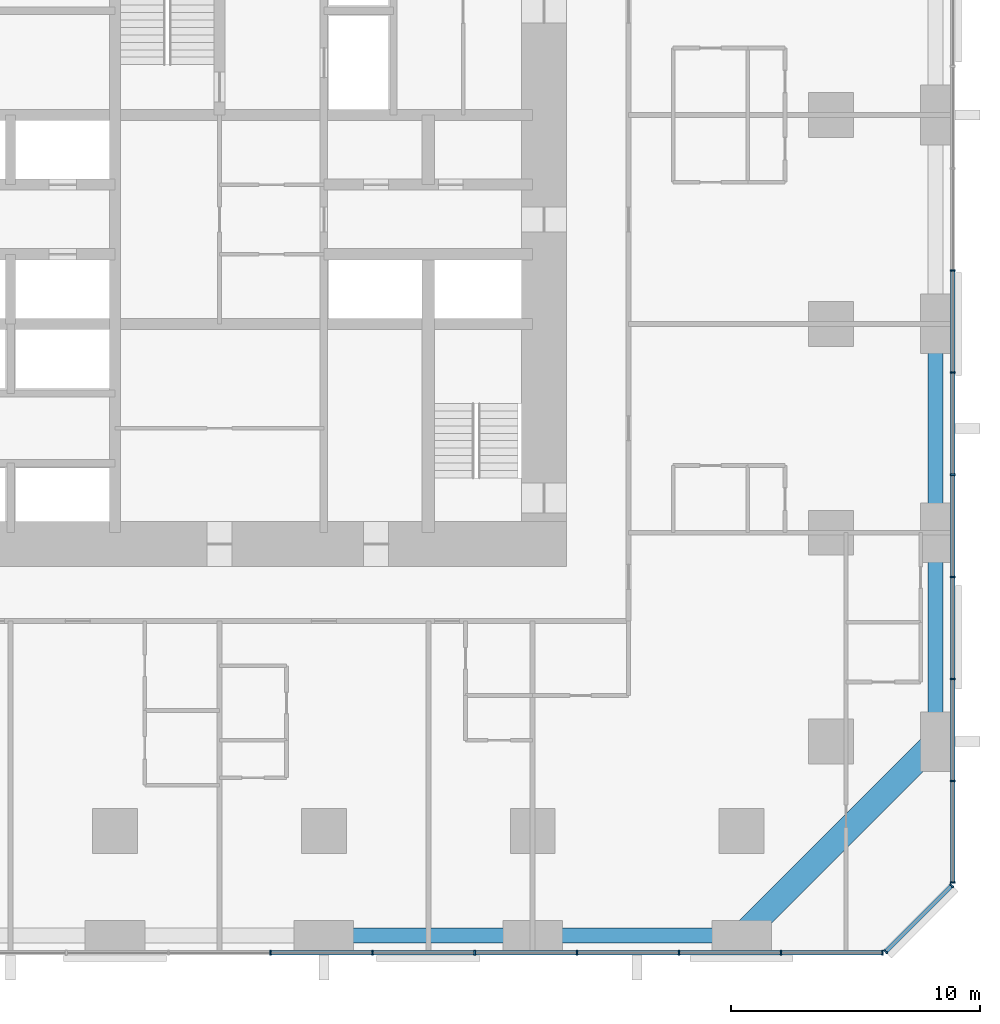
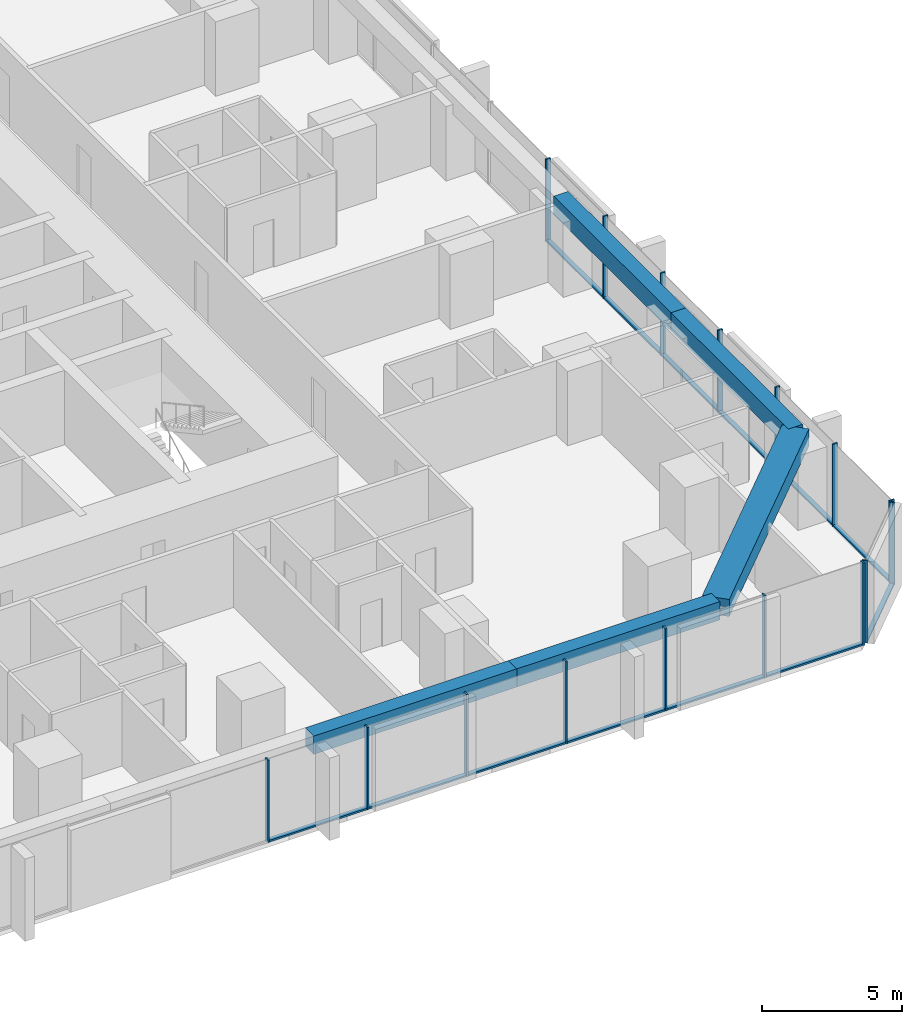
# One storey, part 4 of 17: 29 members, 5 beams, 3 elements without a shape of their own.
"""IFC4 building model written with IfcOpenShell, lengths in metres."""

from ifc_helpers import new_model, si_unit, direction, frame, origin, origin_2d, place, context, subcontext, project, spatial, rectangle, extrude, material, material_profile, profile_set, type_object, element, aggregate, save


model = new_model("IFC4")

# Units and contexts
model_context = context("Model", 3, precision=1e-05, world=origin(), true_north=direction((0.0, 1.0)))
body_context = subcontext(model_context, "Body", "Model", "MODEL_VIEW")
ifc_project = project(units=[si_unit("LENGTHUNIT", "METRE"), si_unit("AREAUNIT", "SQUARE_METRE"), si_unit("VOLUMEUNIT", "CUBIC_METRE"), si_unit("PLANEANGLEUNIT", "RADIAN"), si_unit("MASSUNIT", "GRAM", prefix="KILO")], contexts=[model_context])

# Site, building, storey
site_placement = place(None, origin())
site = spatial("IfcSite", under=ifc_project, at=site_placement, CompositionType="ELEMENT")
building_placement = place(site_placement, origin())
building = spatial("IfcBuilding", under=site, at=building_placement, Name="Dunama Terrace Hotel", CompositionType="ELEMENT")
storey_placement = place(building_placement, frame((0.0, 0.0, 41.39990234375)))
storey = spatial("IfcBuildingStorey", under=building, at=storey_placement, Name="L09", CompositionType="ELEMENT", Elevation=41.39990234375)

# Curtain wall, members
ifc_material_1 = material(Name="Aluminium curtain wall system", Category="aluminium")
curtain_wall_type = type_object("IfcCurtainWallType", Name="Unitised fritted glass wall CW-A", PredefinedType="NOTDEFINED", material=ifc_material_1)
curtain_wall_1_placement = place(storey_placement, origin())
curtain_wall_1 = element("IfcCurtainWall", 1, at=curtain_wall_1_placement, inside=storey, type_object=curtain_wall_type, Name="Unitised fritted glass wall CW-A L09", PredefinedType="NOTDEFINED")
ifc_material_2 = material(Name="Aluminium mullion", Category="aluminium")
ifc_material_profile_1 = material_profile(ifc_material_2, rectangle(XDim=0.06494140625, YDim=0.199951171875, at=origin_2d()), Name="CWA MULLION 65X200")
ifc_profile_set_1 = profile_set([ifc_material_profile_1], Name="Aluminium mullion")
member_type_1 = type_object("IfcMemberType", Name="CWA mullion 65x200", PredefinedType="MULLION", material=ifc_profile_set_1)
member_1_placement = place(storey_placement, frame((31.4541015625, -0.10009765625, 0.0), z_axis=(0.0, 0.0, 1.0), x_axis=(1.0, 0.0, 0.0)))
member_1 = element("IfcMember", 2, at=member_1_placement, type_object=member_type_1, Name="CWA mullion", PredefinedType="MULLION", context=body_context, shape_type="SweptSolid", body=[
    extrude(rectangle(XDim=0.06494140625, YDim=0.199951171875, at=origin_2d()), origin(), (0.0, 0.0, 1.0), 3.60009765625),
])
member_2_placement = place(storey_placement, frame((35.56201171875, -0.10009765625, 0.0), z_axis=(0.0, 0.0, 1.0), x_axis=(1.0, 0.0, 0.0)))
member_2 = element("IfcMember", 3, at=member_2_placement, type_object=member_type_1, Name="CWA mullion", PredefinedType="MULLION", context=body_context, shape_type="SweptSolid", body=[
    extrude(rectangle(XDim=0.06494140625, YDim=0.199951171875, at=origin_2d()), origin(), (0.0, 0.0, 1.0), 3.60009765625),
])
member_3_placement = place(storey_placement, frame((39.6689453125, -0.10009765625, 0.0), z_axis=(0.0, 0.0, 1.0), x_axis=(1.0, 0.0, 0.0)))
member_3 = element("IfcMember", 4, at=member_3_placement, type_object=member_type_1, Name="CWA mullion", PredefinedType="MULLION", context=body_context, shape_type="SweptSolid", body=[
    extrude(rectangle(XDim=0.06494140625, YDim=0.199951171875, at=origin_2d()), origin(), (0.0, 0.0, 1.0), 3.60009765625),
])
member_4_placement = place(storey_placement, frame((43.777099609375, -0.10009765625, 0.0), z_axis=(0.0, 0.0, 1.0), x_axis=(1.0, 0.0, 0.0)))
member_4 = element("IfcMember", 5, at=member_4_placement, type_object=member_type_1, Name="CWA mullion", PredefinedType="MULLION", context=body_context, shape_type="SweptSolid", body=[
    extrude(rectangle(XDim=0.06494140625, YDim=0.199951171875, at=origin_2d()), origin(), (0.0, 0.0, 1.0), 3.60009765625),
])
member_5_placement = place(storey_placement, frame((47.885009765625, -0.10009765625, 0.0), z_axis=(0.0, 0.0, 1.0), x_axis=(1.0, 0.0, 0.0)))
member_5 = element("IfcMember", 6, at=member_5_placement, type_object=member_type_1, Name="CWA mullion", PredefinedType="MULLION", context=body_context, shape_type="SweptSolid", body=[
    extrude(rectangle(XDim=0.06494140625, YDim=0.199951171875, at=origin_2d()), origin(), (0.0, 0.0, 1.0), 3.60009765625),
])
member_6_placement = place(storey_placement, frame((51.991943359375, -0.10009765625, 0.0), z_axis=(0.0, 0.0, 1.0), x_axis=(1.0, 0.0, 0.0)))
member_6 = element("IfcMember", 7, at=member_6_placement, type_object=member_type_1, Name="CWA mullion", PredefinedType="MULLION", context=body_context, shape_type="SweptSolid", body=[
    extrude(rectangle(XDim=0.06494140625, YDim=0.199951171875, at=origin_2d()), origin(), (0.0, 0.0, 1.0), 3.60009765625),
])
member_7_placement = place(storey_placement, frame((56.06689453125, -0.10009765625, 0.0), z_axis=(0.0, 0.0, 1.0), x_axis=(1.0, 0.0, 0.0)))
member_7 = element("IfcMember", 8, at=member_7_placement, type_object=member_type_1, Name="CWA mullion", PredefinedType="MULLION", context=body_context, shape_type="SweptSolid", body=[
    extrude(rectangle(XDim=0.06494140625, YDim=0.199951171875, at=origin_2d()), origin(), (0.0, 0.0, 1.0), 3.60009765625),
])

curtain_wall_2_placement = place(storey_placement, origin())
curtain_wall_2 = element("IfcCurtainWall", 9, at=curtain_wall_2_placement, inside=storey, type_object=curtain_wall_type, Name="Unitised fritted glass wall CW-A L09", PredefinedType="NOTDEFINED")
member_8_placement = place(storey_placement, frame((56.194091796875, -0.048095703125, 0.0), z_axis=(0.0, 0.0, 1.0), x_axis=(0.707106781187, 0.707106781187, 0.0)))
member_8 = element("IfcMember", 10, at=member_8_placement, type_object=member_type_1, Name="CWA mullion", PredefinedType="MULLION", context=body_context, shape_type="SweptSolid", body=[
    extrude(rectangle(XDim=0.06494140625, YDim=0.199951171875, at=origin_2d()), origin(), (0.0, 0.0, 1.0), 3.60009765625),
])
member_9_placement = place(storey_placement, frame((58.847900390625, 2.60595703125, 0.0), z_axis=(0.0, 0.0, 1.0), x_axis=(0.707106781187, 0.707106781187, 0.0)))
member_9 = element("IfcMember", 11, at=member_9_placement, type_object=member_type_1, Name="CWA mullion", PredefinedType="MULLION", context=body_context, shape_type="SweptSolid", body=[
    extrude(rectangle(XDim=0.06494140625, YDim=0.199951171875, at=origin_2d()), origin(), (0.0, 0.0, 1.0), 3.60009765625),
])

curtain_wall_3_placement = place(storey_placement, origin())
curtain_wall_3 = element("IfcCurtainWall", 12, at=curtain_wall_3_placement, inside=storey, type_object=curtain_wall_type, Name="Unitised fritted glass wall CW-A L09", PredefinedType="NOTDEFINED")
member_10_placement = place(storey_placement, frame((58.89990234375, 2.73291015625, 0.0), z_axis=(0.0, 0.0, 1.0), x_axis=(0.0, 1.0, 0.0)))
member_10 = element("IfcMember", 13, at=member_10_placement, type_object=member_type_1, Name="CWA mullion", PredefinedType="MULLION", context=body_context, shape_type="SweptSolid", body=[
    extrude(rectangle(XDim=0.06494140625, YDim=0.199951171875, at=origin_2d()), origin(), (0.0, 0.0, 1.0), 3.60009765625),
])
member_11_placement = place(storey_placement, frame((58.89990234375, 6.80810546875, 0.0), z_axis=(0.0, 0.0, 1.0), x_axis=(0.0, 1.0, 0.0)))
member_11 = element("IfcMember", 14, at=member_11_placement, type_object=member_type_1, Name="CWA mullion", PredefinedType="MULLION", context=body_context, shape_type="SweptSolid", body=[
    extrude(rectangle(XDim=0.06494140625, YDim=0.199951171875, at=origin_2d()), origin(), (0.0, 0.0, 1.0), 3.60009765625),
])
member_12_placement = place(storey_placement, frame((58.89990234375, 10.9150390625, 0.0), z_axis=(0.0, 0.0, 1.0), x_axis=(0.0, 1.0, 0.0)))
member_12 = element("IfcMember", 15, at=member_12_placement, type_object=member_type_1, Name="CWA mullion", PredefinedType="MULLION", context=body_context, shape_type="SweptSolid", body=[
    extrude(rectangle(XDim=0.06494140625, YDim=0.199951171875, at=origin_2d()), origin(), (0.0, 0.0, 1.0), 3.60009765625),
])
member_13_placement = place(storey_placement, frame((58.89990234375, 15.02294921875, 0.0), z_axis=(0.0, 0.0, 1.0), x_axis=(0.0, 1.0, 0.0)))
member_13 = element("IfcMember", 16, at=member_13_placement, type_object=member_type_1, Name="CWA mullion", PredefinedType="MULLION", context=body_context, shape_type="SweptSolid", body=[
    extrude(rectangle(XDim=0.06494140625, YDim=0.199951171875, at=origin_2d()), origin(), (0.0, 0.0, 1.0), 3.60009765625),
])
member_14_placement = place(storey_placement, frame((58.89990234375, 19.131103515625, 0.0), z_axis=(0.0, 0.0, 1.0), x_axis=(0.0, 1.0, 0.0)))
member_14 = element("IfcMember", 17, at=member_14_placement, type_object=member_type_1, Name="CWA mullion", PredefinedType="MULLION", context=body_context, shape_type="SweptSolid", body=[
    extrude(rectangle(XDim=0.06494140625, YDim=0.199951171875, at=origin_2d()), origin(), (0.0, 0.0, 1.0), 3.60009765625),
])
member_15_placement = place(storey_placement, frame((58.89990234375, 23.238037109375, 0.0), z_axis=(0.0, 0.0, 1.0), x_axis=(0.0, 1.0, 0.0)))
member_15 = element("IfcMember", 18, at=member_15_placement, type_object=member_type_1, Name="CWA mullion", PredefinedType="MULLION", context=body_context, shape_type="SweptSolid", body=[
    extrude(rectangle(XDim=0.06494140625, YDim=0.199951171875, at=origin_2d()), origin(), (0.0, 0.0, 1.0), 3.60009765625),
])
member_16_placement = place(storey_placement, frame((58.89990234375, 27.345947265625, 0.0), z_axis=(0.0, 0.0, 1.0), x_axis=(0.0, 1.0, 0.0)))
member_16 = element("IfcMember", 19, at=member_16_placement, type_object=member_type_1, Name="CWA mullion", PredefinedType="MULLION", context=body_context, shape_type="SweptSolid", body=[
    extrude(rectangle(XDim=0.06494140625, YDim=0.199951171875, at=origin_2d()), origin(), (0.0, 0.0, 1.0), 3.60009765625),
])

# Member
ifc_material_3 = material(Name="Aluminium transom", Category="aluminium")
ifc_material_profile_2 = material_profile(ifc_material_3, rectangle(XDim=0.179931640625, YDim=0.074951171875, at=origin_2d()), Name="CWA TRANSOM 180X75")
ifc_profile_set_2 = profile_set([ifc_material_profile_2], Name="Aluminium transom")
member_type_2 = type_object("IfcMemberType", Name="CWA transom 180x75", PredefinedType="USERDEFINED", material=ifc_profile_set_2)
member_17_placement = place(storey_placement, frame((31.486083984375, -0.10009765625, 0.03759765625), z_axis=(1.0, 0.0, 0.0), x_axis=(0.0, 1.0, 0.0)))
member_17 = element("IfcMember", 20, at=member_17_placement, type_object=member_type_2, Name="CWA transom", ObjectType="TRANSOM", PredefinedType="USERDEFINED", context=body_context, shape_type="SweptSolid", body=[
    extrude(rectangle(XDim=0.179931640625, YDim=0.074951171875, at=origin_2d()), origin(), (0.0, 0.0, 1.0), 4.04296875),
])

member_18_placement = place(storey_placement, frame((35.593994140625, -0.10009765625, 0.03759765625), z_axis=(1.0, 0.0, 0.0), x_axis=(0.0, 1.0, 0.0)))
member_18 = element("IfcMember", 21, at=member_18_placement, type_object=member_type_2, Name="CWA transom", ObjectType="TRANSOM", PredefinedType="USERDEFINED", context=body_context, shape_type="SweptSolid", body=[
    extrude(rectangle(XDim=0.179931640625, YDim=0.074951171875, at=origin_2d()), origin(), (0.0, 0.0, 1.0), 4.04296875),
])

member_19_placement = place(storey_placement, frame((39.701904296875, -0.10009765625, 0.03759765625), z_axis=(1.0, 0.0, 0.0), x_axis=(0.0, 1.0, 0.0)))
member_19 = element("IfcMember", 22, at=member_19_placement, type_object=member_type_2, Name="CWA transom", ObjectType="TRANSOM", PredefinedType="USERDEFINED", context=body_context, shape_type="SweptSolid", body=[
    extrude(rectangle(XDim=0.179931640625, YDim=0.074951171875, at=origin_2d()), origin(), (0.0, 0.0, 1.0), 4.0419921875),
])

member_20_placement = place(storey_placement, frame((43.80908203125, -0.10009765625, 0.03759765625), z_axis=(1.0, 0.0, 0.0), x_axis=(0.0, 1.0, 0.0)))
member_20 = element("IfcMember", 23, at=member_20_placement, type_object=member_type_2, Name="CWA transom", ObjectType="TRANSOM", PredefinedType="USERDEFINED", context=body_context, shape_type="SweptSolid", body=[
    extrude(rectangle(XDim=0.179931640625, YDim=0.074951171875, at=origin_2d()), origin(), (0.0, 0.0, 1.0), 4.04296875),
])

member_21_placement = place(storey_placement, frame((47.9169921875, -0.10009765625, 0.03759765625), z_axis=(1.0, 0.0, 0.0), x_axis=(0.0, 1.0, 0.0)))
member_21 = element("IfcMember", 24, at=member_21_placement, type_object=member_type_2, Name="CWA transom", ObjectType="TRANSOM", PredefinedType="USERDEFINED", context=body_context, shape_type="SweptSolid", body=[
    extrude(rectangle(XDim=0.179931640625, YDim=0.074951171875, at=origin_2d()), origin(), (0.0, 0.0, 1.0), 4.04296875),
])

member_22_placement = place(storey_placement, frame((52.02490234375, -0.10009765625, 0.03759765625), z_axis=(1.0, 0.0, 0.0), x_axis=(0.0, 1.0, 0.0)))
member_22 = element("IfcMember", 25, at=member_22_placement, type_object=member_type_2, Name="CWA transom", ObjectType="TRANSOM", PredefinedType="USERDEFINED", context=body_context, shape_type="SweptSolid", body=[
    extrude(rectangle(XDim=0.179931640625, YDim=0.074951171875, at=origin_2d()), origin(), (0.0, 0.0, 1.0), 4.010009765625),
])

aggregate(curtain_wall_1, [member_1, member_2, member_3, member_4, member_5, member_6, member_7, member_17, member_18, member_19, member_20, member_21, member_22])

member_23_placement = place(storey_placement, frame((56.217041015625, -0.02490234375, 0.03759765625), z_axis=(0.707106781187, 0.707106781187, 0.0), x_axis=(-0.707106781187, 0.707106781187, 0.0)))
member_23 = element("IfcMember", 26, at=member_23_placement, type_object=member_type_2, Name="CWA transom", ObjectType="TRANSOM", PredefinedType="USERDEFINED", context=body_context, shape_type="SweptSolid", body=[
    extrude(rectangle(XDim=0.179931640625, YDim=0.074951171875, at=origin_2d()), origin(), (0.0, 0.0, 1.0), 3.688232421875),
])

aggregate(curtain_wall_2, [member_8, member_9, member_23])

member_24_placement = place(storey_placement, frame((58.89990234375, 2.764892578125, 0.03759765625), z_axis=(0.0, 1.0, 0.0), x_axis=(-1.0, 0.0, 0.0)))
member_24 = element("IfcMember", 27, at=member_24_placement, type_object=member_type_2, Name="CWA transom", ObjectType="TRANSOM", PredefinedType="USERDEFINED", context=body_context, shape_type="SweptSolid", body=[
    extrude(rectangle(XDim=0.179931640625, YDim=0.074951171875, at=origin_2d()), origin(), (0.0, 0.0, 1.0), 4.010009765625),
])

member_25_placement = place(storey_placement, frame((58.89990234375, 6.840087890625, 0.03759765625), z_axis=(0.0, 1.0, 0.0), x_axis=(-1.0, 0.0, 0.0)))
member_25 = element("IfcMember", 28, at=member_25_placement, type_object=member_type_2, Name="CWA transom", ObjectType="TRANSOM", PredefinedType="USERDEFINED", context=body_context, shape_type="SweptSolid", body=[
    extrude(rectangle(XDim=0.179931640625, YDim=0.074951171875, at=origin_2d()), origin(), (0.0, 0.0, 1.0), 4.04296875),
])

member_26_placement = place(storey_placement, frame((58.89990234375, 10.947998046875, 0.03759765625), z_axis=(0.0, 1.0, 0.0), x_axis=(-1.0, 0.0, 0.0)))
member_26 = element("IfcMember", 29, at=member_26_placement, type_object=member_type_2, Name="CWA transom", ObjectType="TRANSOM", PredefinedType="USERDEFINED", context=body_context, shape_type="SweptSolid", body=[
    extrude(rectangle(XDim=0.179931640625, YDim=0.074951171875, at=origin_2d()), origin(), (0.0, 0.0, 1.0), 4.04296875),
])

member_27_placement = place(storey_placement, frame((58.89990234375, 15.055908203125, 0.03759765625), z_axis=(0.0, 1.0, 0.0), x_axis=(-1.0, 0.0, 0.0)))
member_27 = element("IfcMember", 30, at=member_27_placement, type_object=member_type_2, Name="CWA transom", ObjectType="TRANSOM", PredefinedType="USERDEFINED", context=body_context, shape_type="SweptSolid", body=[
    extrude(rectangle(XDim=0.179931640625, YDim=0.074951171875, at=origin_2d()), origin(), (0.0, 0.0, 1.0), 4.0419921875),
])

member_28_placement = place(storey_placement, frame((58.89990234375, 19.1630859375, 0.03759765625), z_axis=(0.0, 1.0, 0.0), x_axis=(-1.0, 0.0, 0.0)))
member_28 = element("IfcMember", 31, at=member_28_placement, type_object=member_type_2, Name="CWA transom", ObjectType="TRANSOM", PredefinedType="USERDEFINED", context=body_context, shape_type="SweptSolid", body=[
    extrude(rectangle(XDim=0.179931640625, YDim=0.074951171875, at=origin_2d()), origin(), (0.0, 0.0, 1.0), 4.04296875),
])

member_29_placement = place(storey_placement, frame((58.89990234375, 23.27099609375, 0.03759765625), z_axis=(0.0, 1.0, 0.0), x_axis=(-1.0, 0.0, 0.0)))
member_29 = element("IfcMember", 32, at=member_29_placement, type_object=member_type_2, Name="CWA transom", ObjectType="TRANSOM", PredefinedType="USERDEFINED", context=body_context, shape_type="SweptSolid", body=[
    extrude(rectangle(XDim=0.179931640625, YDim=0.074951171875, at=origin_2d()), origin(), (0.0, 0.0, 1.0), 4.04296875),
])

aggregate(curtain_wall_3, [member_10, member_11, member_12, member_13, member_14, member_15, member_16, member_24, member_25, member_26, member_27, member_28, member_29])

# Beams
ifc_material_4 = material(Name="Concrete C50/60", Category="concrete")
ifc_material_profile_3 = material_profile(ifc_material_4, rectangle(XDim=1.0, YDim=0.75, at=origin_2d()), Name="RC 1000x750")
ifc_profile_set_3 = profile_set([ifc_material_profile_3], Name="Concrete C50/60")
beam_type_1 = type_object("IfcBeamType", Name="Edge beam RC 1000x750", PredefinedType="SPANDREL", material=ifc_profile_set_3)
beam_1_placement = place(storey_placement, frame((50.39990234375, 0.60009765625, 3.22509765625), z_axis=(0.707117847453, 0.707095714747, 0.0), x_axis=(-0.707095714747, 0.707117847453, 0.0)))
element("IfcBeam", 33, at=beam_1_placement, inside=storey, type_object=beam_type_1, Name="Corner edge beam under L10", PredefinedType="SPANDREL", context=body_context, shape_type="SweptSolid", body=[
    extrude(rectangle(XDim=1.0, YDim=0.75, at=origin_2d()), origin(), (0.0, 0.0, 1.0), 11.03076171875),
])
ifc_material_5 = material(Name="Concrete C40/50", Category="concrete")
ifc_material_profile_4 = material_profile(ifc_material_5, rectangle(XDim=0.60009765625, YDim=0.800048828125, at=origin_2d()), Name="RC 600x800")
ifc_profile_set_4 = profile_set([ifc_material_profile_4], Name="Concrete C40/50")
beam_type_2 = type_object("IfcBeamType", Name="Edge beam RC 600x800", PredefinedType="SPANDREL", material=ifc_profile_set_4)
beam_2_placement = place(storey_placement, frame((58.199951171875, 8.39990234375, 3.2001953125), z_axis=(0.0, 1.0, 0.0), x_axis=(-1.0, 0.0, 0.0)))
element("IfcBeam", 34, at=beam_2_placement, inside=storey, type_object=beam_type_2, Name="Edge beam under L10", PredefinedType="SPANDREL", context=body_context, shape_type="SweptSolid", body=[
    extrude(rectangle(XDim=0.60009765625, YDim=0.800048828125, at=origin_2d()), origin(), (0.0, 0.0, 1.0), 8.400146484375),
])
for number, where, z_axis, x_axis, name in (
    (35, (58.199951171875, 16.800048828125, 3.2001953125), (0.0, 1.0, 0.0), (-1.0, 0.0, 0.0), "Edge beam under L10"),
    (36, (33.60009765625, 0.60009765625, 3.2001953125), (1.0, 0.0, 0.0), (0.0, 1.0, 0.0), "Edge beam under L10"),
    (37, (42.0, 0.60009765625, 3.2001953125), (1.0, 0.0, 0.0), (0.0, 1.0, 0.0), "Edge beam under L10"),
):
    element("IfcBeam", number, at=place(storey_placement, frame(where, z_axis=z_axis, x_axis=x_axis)), inside=storey, type_object=beam_type_2, Name=name, PredefinedType="SPANDREL", context=body_context, shape_type="SweptSolid", body=[
        extrude(rectangle(XDim=0.60009765625, YDim=0.800048828125, at=origin_2d()), origin(), (0.0, 0.0, 1.0), 8.39990234375),
    ])

save(model, "model.ifc")
